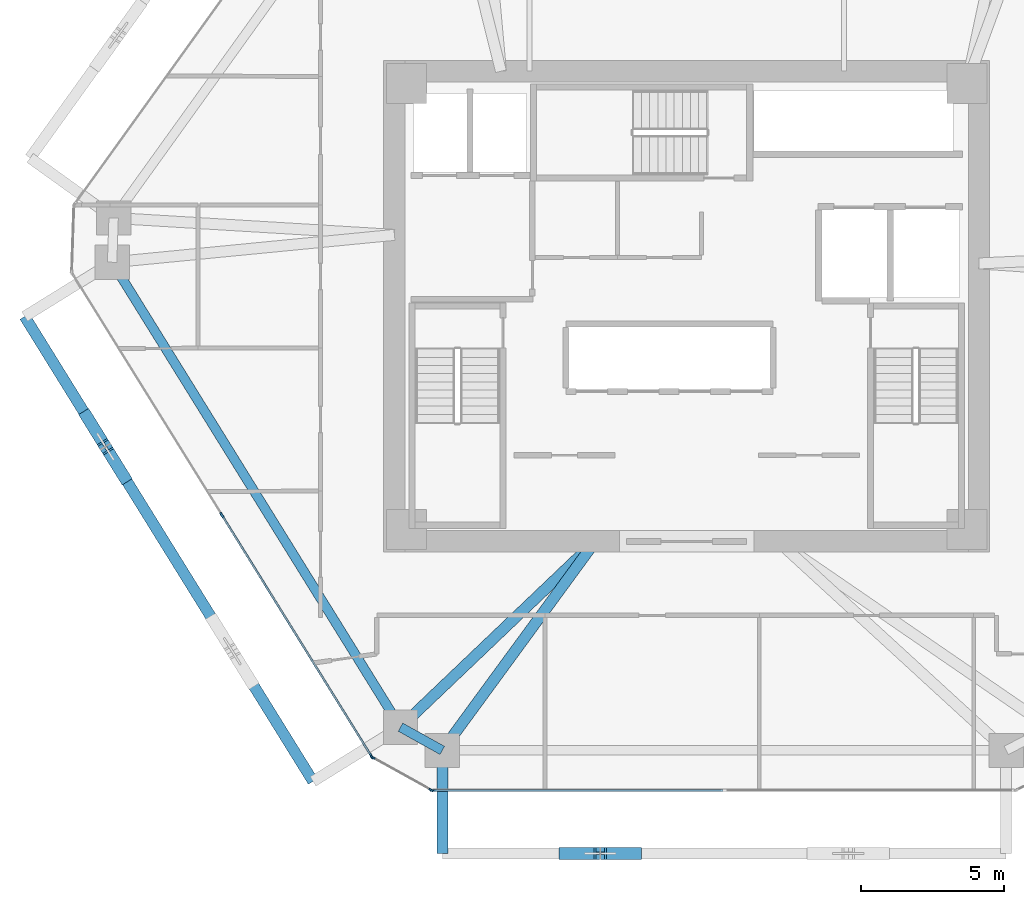
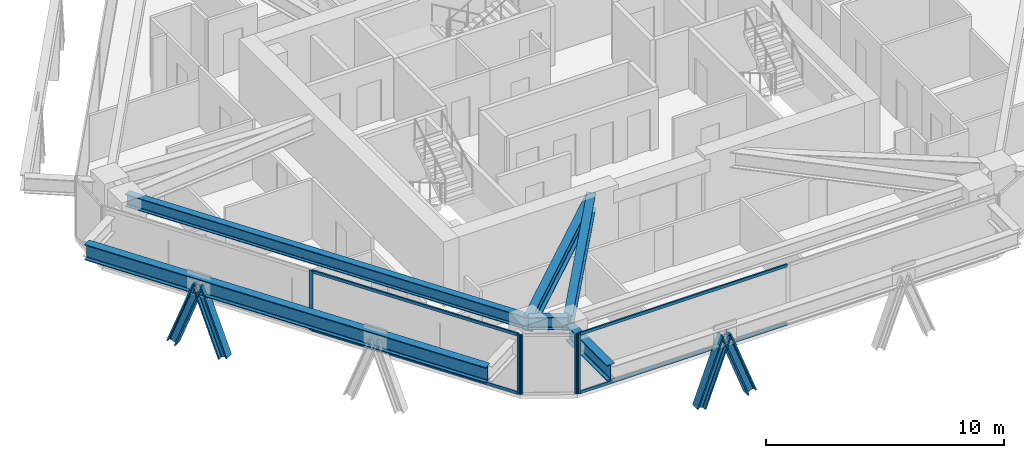
# One storey, part 2 of 16: 13 members, 6 beams, 3 elements without a shape of their own.
"""IFC4 building model written with IfcOpenShell, lengths in metres."""

from ifc_helpers import new_model, si_unit, direction, frame, origin, origin_2d, place, context, subcontext, project, spatial, rectangle, i_section, extrude, source, transform, mapped, material, layer, layer_set, material_profile, profile_set, type_object, type_shapes, element, aggregate, save


model = new_model("IFC4")

# Units and contexts
model_context = context("Model", 3, precision=1e-05, world=origin(), true_north=direction((0.0, 1.0)))
body_context = subcontext(model_context, "Body", "Model", "MODEL_VIEW")
ifc_project = project(units=[si_unit("LENGTHUNIT", "METRE"), si_unit("AREAUNIT", "SQUARE_METRE"), si_unit("VOLUMEUNIT", "CUBIC_METRE"), si_unit("PLANEANGLEUNIT", "RADIAN"), si_unit("MASSUNIT", "GRAM", prefix="KILO")], contexts=[model_context])

# Site, building, storey
site_placement = place(None, origin())
site = spatial("IfcSite", under=ifc_project, at=site_placement, CompositionType="ELEMENT")
building_placement = place(site_placement, origin())
building = spatial("IfcBuilding", under=site, at=building_placement, Name="Durnholm Broadcast Tower", CompositionType="ELEMENT")
storey_placement = place(building_placement, frame((0.0, 0.0, 130.5)))
storey = spatial("IfcBuildingStorey", under=building, at=storey_placement, Name="L35", CompositionType="ELEMENT", Elevation=130.5)

# Beams
ifc_material_1 = material(Name="Steel ASTM A992 Grade 50", Category="steel")
ifc_material_profile_1 = material_profile(ifc_material_1, i_section(OverallWidth=0.385009765625, OverallDepth=0.802978515625, WebThickness=0.023681640625, FlangeThickness=0.0419921875, FilletRadius=0.032958984375, at=origin_2d()), Name="W30X261")
ifc_profile_set_1 = profile_set([ifc_material_profile_1], Name="Steel ASTM A992 Grade 50")
beam_type_1 = type_object("IfcBeamType", Name="BM-EXO-TIE", PredefinedType="USERDEFINED", material=ifc_profile_set_1)
shared_shape_1 = source(origin(), body_context, "Body", "SweptSolid", [
    extrude(i_section(OverallWidth=0.385009765625, OverallDepth=0.802978515625, WebThickness=0.023681640625, FlangeThickness=0.0419921875, FilletRadius=0.032958984375, at=origin_2d()), origin(), (0.0, 0.0, 1.0), 3.4560546875),
])
beam_1_placement = place(storey_placement, frame((-8.552001953125, -15.680908203125, 2.30859375), z_axis=(0.0, -1.0, 0.0), x_axis=(1.0, 0.0, 0.0)))
element("IfcBeam", 1, at=beam_1_placement, inside=storey, type_object=beam_type_1, Name="L35 exoskeleton stand-off tie bracket F1.1", ObjectType="GIRDER", PredefinedType="USERDEFINED", context=body_context, shape_type="MappedRepresentation", body=[
    mapped(shared_shape_1, transform((0.0, 0.0, 0.0), x_axis=(1.0, 0.0, 0.0), y_axis=(0.0, 1.0, 0.0), z_axis=(0.0, 0.0, 1.0), scale=1.0)),
])
ifc_material_profile_2 = material_profile(ifc_material_1, i_section(OverallWidth=0.3291015625, OverallDepth=0.635009765625, WebThickness=0.017822265625, FlangeThickness=0.031005859375, FilletRadius=0.02783203125, at=origin_2d()), Name="W24X162")
ifc_profile_set_2 = profile_set([ifc_material_profile_2], Name="Steel ASTM A992 Grade 50")
beam_type_2 = type_object("IfcBeamType", Name="STL-SP-W24X162", PredefinedType="SPANDREL", material=ifc_profile_set_2)
shared_shape_2 = source(origin(), body_context, "Body", "SweptSolid", [
    extrude(i_section(OverallWidth=0.3291015625, OverallDepth=0.635009765625, WebThickness=0.017822265625, FlangeThickness=0.031005859375, FilletRadius=0.02783203125, at=origin_2d()), origin(), (0.0, 0.0, 1.0), 19.1396484375),
])
beam_2_placement = place(storey_placement, frame((-10.01416015625, -14.723388671875, 2.7275390625), z_axis=(-0.527105324954, 0.849799962582, 0.0), x_axis=(-0.849799962582, -0.527105324954, 0.0)))
element("IfcBeam", 2, at=beam_2_placement, inside=storey, type_object=beam_type_2, Name="L35 perimeter spandrel girder 01", PredefinedType="SPANDREL", context=body_context, shape_type="MappedRepresentation", body=[
    mapped(shared_shape_2, transform((0.0, 0.0, 0.0), x_axis=(1.0, 0.0, 0.0), y_axis=(0.0, 1.0, 0.0), z_axis=(0.0, 0.0, 1.0), scale=1.0)),
])
shared_shape_3 = source(origin(), body_context, "Body", "SweptSolid", [
    extrude(i_section(OverallWidth=0.3291015625, OverallDepth=0.635009765625, WebThickness=0.017822265625, FlangeThickness=0.031005859375, FilletRadius=0.02783203125, at=origin_2d()), origin(), (0.0, 0.0, 1.0), 1.67333984375),
])
type_shapes(beam_type_2, [shared_shape_2, shared_shape_3])
beam_3_placement = place(storey_placement, frame((-8.552001953125, -15.537109375, 2.7275390625), z_axis=(-0.873799169188, 0.486286964586, 0.0), x_axis=(-0.486286964586, -0.873799169188, 0.0)))
element("IfcBeam", 3, at=beam_3_placement, inside=storey, type_object=beam_type_2, Name="L35 perimeter spandrel girder 12", PredefinedType="SPANDREL", context=body_context, shape_type="MappedRepresentation", body=[
    mapped(shared_shape_3, transform((0.0, 0.0, 0.0), x_axis=(1.0, 0.0, 0.0), y_axis=(0.0, 1.0, 0.0), z_axis=(0.0, 0.0, 1.0), scale=1.0)),
])
ifc_material_profile_3 = material_profile(ifc_material_1, i_section(OverallWidth=0.385009765625, OverallDepth=0.802978515625, WebThickness=0.023681640625, FlangeThickness=0.0419921875, FilletRadius=0.032958984375, at=origin_2d()), Name="W30X261")
ifc_profile_set_3 = profile_set([ifc_material_profile_3], Name="Steel ASTM A992 Grade 50")
beam_type_3 = type_object("IfcBeamType", Name="STL-GR-W30X261", PredefinedType="USERDEFINED", material=ifc_profile_set_3)
shared_shape_4 = source(origin(), body_context, "Body", "SweptSolid", [
    extrude(i_section(OverallWidth=0.385009765625, OverallDepth=0.802978515625, WebThickness=0.023681640625, FlangeThickness=0.0419921875, FilletRadius=0.032958984375, at=origin_2d()), origin(), (0.0, 0.0, 1.0), 9.416015625),
])
beam_4_placement = place(storey_placement, frame((-3.199951171875, -8.22509765625, 2.6435546875), z_axis=(-0.723683335801, -0.690132182617, 0.0), x_axis=(0.690132182617, -0.723683335801, 0.0)))
element("IfcBeam", 4, at=beam_4_placement, inside=storey, type_object=beam_type_3, Name="L35 radial primary floor girder 01", ObjectType="GIRDER", PredefinedType="USERDEFINED", context=body_context, shape_type="MappedRepresentation", body=[
    mapped(shared_shape_4, transform((0.0, 0.0, 0.0), x_axis=(1.0, 0.0, 0.0), y_axis=(0.0, 1.0, 0.0), z_axis=(0.0, 0.0, 1.0), scale=1.0)),
])
shared_shape_5 = source(origin(), body_context, "Body", "SweptSolid", [
    extrude(i_section(OverallWidth=0.385009765625, OverallDepth=0.802978515625, WebThickness=0.023681640625, FlangeThickness=0.0419921875, FilletRadius=0.032958984375, at=origin_2d()), origin(), (0.0, 0.0, 1.0), 9.0615234375),
])
type_shapes(beam_type_3, [shared_shape_4, shared_shape_5])
beam_5_placement = place(storey_placement, frame((-3.199951171875, -8.22509765625, 2.6435546875), z_axis=(-0.590639241086, -0.806935739008, 0.0), x_axis=(0.806935739008, -0.590639241086, 0.0)))
element("IfcBeam", 5, at=beam_5_placement, inside=storey, type_object=beam_type_3, Name="L35 radial primary floor girder 12", ObjectType="GIRDER", PredefinedType="USERDEFINED", context=body_context, shape_type="MappedRepresentation", body=[
    mapped(shared_shape_5, transform((0.0, 0.0, 0.0), x_axis=(1.0, 0.0, 0.0), y_axis=(0.0, 1.0, 0.0), z_axis=(0.0, 0.0, 1.0), scale=1.0)),
])
shared_shape_6 = source(origin(), body_context, "Body", "SweptSolid", [
    extrude(i_section(OverallWidth=0.385009765625, OverallDepth=0.802978515625, WebThickness=0.023681640625, FlangeThickness=0.0419921875, FilletRadius=0.032958984375, at=origin_2d()), origin(), (0.0, 0.0, 1.0), 19.139404296875),
])
type_shapes(beam_type_1, [shared_shape_1, shared_shape_6])
beam_6_placement = place(storey_placement, frame((-23.162109375, -0.356201171875, 2.30859375), z_axis=(0.527111038734, -0.84979641847, 0.0), x_axis=(0.84979641847, 0.527111038734, 0.0)))
element("IfcBeam", 6, at=beam_6_placement, inside=storey, type_object=beam_type_1, Name="L35 exoskeleton collector spandrel F6", PredefinedType="SPANDREL", context=body_context, shape_type="MappedRepresentation", body=[
    mapped(shared_shape_6, transform((0.0, 0.0, 0.0), x_axis=(1.0, 0.0, 0.0), y_axis=(0.0, 1.0, 0.0), z_axis=(0.0, 0.0, 1.0), scale=1.0)),
])

# Members
ifc_material_2 = material(Name="Steel ASTM A913 Grade 65", Category="steel")
ifc_material_profile_4 = material_profile(ifc_material_2, i_section(OverallWidth=0.41845703125, OverallDepth=0.455078125, WebThickness=0.0419921875, FlangeThickness=0.067626953125, FilletRadius=0.030517578125, at=origin_2d()), Name="W14X370")
ifc_profile_set_4 = profile_set([ifc_material_profile_4], Name="Steel ASTM A913 Grade 65")
member_type_1 = type_object("IfcMemberType", Name="STL-DG-W14X370", PredefinedType="BRACE", material=ifc_profile_set_4)
shared_shape_7 = source(origin(), body_context, "Body", "SweptSolid", [
    extrude(i_section(OverallWidth=0.41845703125, OverallDepth=0.455078125, WebThickness=0.0419921875, FlangeThickness=0.067626953125, FilletRadius=0.030517578125, at=origin_2d()), origin(), (0.0, 0.0, 1.0), 3.523193359375),
])
type_shapes(member_type_1, [shared_shape_7])
for number, where, z_axis, x_axis, name in (
    (7, (-4.261962890625, -19.136962890625, -0.991455078125), (0.350219588454, 0.0, 0.936667625075), (0.0, 1.0, 0.0), "L35 stand-off diagrid brace F1.D1.1"),
    (8, (-1.794189453125, -19.136962890625, -0.991455078125), (-0.350219588454, 0.0, 0.936667625075), (0.0, -1.0, 0.0), "L35 stand-off diagrid brace F1.D1.2"),
    (9, (-20.987548828125, -3.86181640625, -0.991455078125), (0.184602835855, -0.297623566065, 0.936665364961), (0.849805205368, 0.527096872433, 0.0), "L35 stand-off diagrid brace F6.D1.1"),
    (10, (-19.686767578125, -5.958740234375, -0.991455078125), (-0.184606642766, 0.297560406921, 0.936684681032), (-0.849750220063, -0.527185511469, 0.0), "L35 stand-off diagrid brace F6.D1.2"),
):
    element("IfcMember", number, at=place(storey_placement, frame(where, z_axis=z_axis, x_axis=x_axis)), inside=storey, type_object=member_type_1, Name=name, PredefinedType="BRACE", context=body_context, shape_type="MappedRepresentation", body=[
        mapped(shared_shape_7, transform((0.0, 0.0, 0.0), x_axis=(1.0, 0.0, 0.0), y_axis=(0.0, 1.0, 0.0), z_axis=(0.0, 0.0, 1.0), scale=1.0)),
    ])

# Curtain wall, members
ifc_material_3 = material(Name="Aluminium and Solar Control IGU", Category="aluminium")
ifc_layer_1 = layer(ifc_material_3, 0.1650390625)
ifc_layer_set_1 = layer_set([ifc_layer_1], Name="Aluminium and Solar Control IGU")
curtain_wall_type_1 = type_object("IfcCurtainWallType", Name="CW-SYS-5", PredefinedType="NOTDEFINED", material=ifc_layer_set_1)
curtain_wall_1_placement = place(storey_placement, origin())
curtain_wall_1 = element("IfcCurtainWall", 11, at=curtain_wall_1_placement, inside=storey, type_object=curtain_wall_type_1, Name="L35 curtain wall CW-CORNER CW-L35-CRN-11", PredefinedType="NOTDEFINED")
ifc_material_4 = material(Name="Aluminium 6063-T6", Category="aluminium")
ifc_material_profile_5 = material_profile(ifc_material_4, rectangle(XDim=0.06494140625, YDim=0.1650390625, at=origin_2d()), Name="CWM65X165")
ifc_profile_set_5 = profile_set([ifc_material_profile_5], Name="Aluminium 6063-T6")
member_type_2 = type_object("IfcMemberType", Name="CW-SYS-5-MUL", PredefinedType="MULLION", material=ifc_profile_set_5)
shared_shape_8 = source(origin(), body_context, "Body", "SweptSolid", [
    extrude(rectangle(XDim=0.06494140625, YDim=0.1650390625, at=origin_2d()), origin(), (0.0, 0.0, 1.0), 3.06005859375),
])
type_shapes(member_type_2, [shared_shape_8])
member_1_placement = place(storey_placement, frame((-8.943603515625, -16.921142578125, 0.0), z_axis=(0.0, 0.0, 1.0), x_axis=(-0.486244224192, -0.873822953715, 0.0)))
member_1 = element("IfcMember", 12, at=member_1_placement, type_object=member_type_2, Name="CW-CORNER mullion 1", PredefinedType="MULLION", context=body_context, shape_type="MappedRepresentation", body=[
    mapped(shared_shape_8, transform((0.0, 0.0, 0.0), x_axis=(1.0, 0.0, 0.0), y_axis=(0.0, 1.0, 0.0), z_axis=(0.0, 0.0, 1.0), scale=1.0)),
])
member_2_placement = place(storey_placement, frame((-10.98388671875, -15.785888671875, 0.0), z_axis=(0.0, 0.0, 1.0), x_axis=(-0.486244224192, -0.873822953715, 0.0)))
member_2 = element("IfcMember", 13, at=member_2_placement, type_object=member_type_2, Name="CW-CORNER mullion 2", PredefinedType="MULLION", context=body_context, shape_type="MappedRepresentation", body=[
    mapped(shared_shape_8, transform((0.0, 0.0, 0.0), x_axis=(1.0, 0.0, 0.0), y_axis=(0.0, 1.0, 0.0), z_axis=(0.0, 0.0, 1.0), scale=1.0)),
])
aggregate(curtain_wall_1, [member_1, member_2])

# Curtain wall, member
ifc_layer_2 = layer(ifc_material_3, 0.18994140625)
ifc_layer_set_2 = layer_set([ifc_layer_2], Name="Aluminium and Solar Control IGU")
curtain_wall_type_2 = type_object("IfcCurtainWallType", Name="CW-SYS-3", PredefinedType="NOTDEFINED", material=ifc_layer_set_2)
curtain_wall_2_placement = place(storey_placement, origin())
curtain_wall_2 = element("IfcCurtainWall", 14, at=curtain_wall_2_placement, inside=storey, type_object=curtain_wall_type_2, Name="L35 curtain wall CW-Z12-VIS CW-L35-F10", PredefinedType="NOTDEFINED")
ifc_material_profile_6 = material_profile(ifc_material_4, rectangle(XDim=0.070068359375, YDim=0.18994140625, at=origin_2d()), Name="CWM70X190")
ifc_profile_set_6 = profile_set([ifc_material_profile_6], Name="Aluminium 6063-T6")
member_type_3 = type_object("IfcMemberType", Name="CW-SYS-3-MUL", PredefinedType="MULLION", material=ifc_profile_set_6)
shared_shape_9 = source(origin(), body_context, "Body", "SweptSolid", [
    extrude(rectangle(XDim=0.070068359375, YDim=0.18994140625, at=origin_2d()), origin(), (0.0, 0.0, 1.0), 3.06005859375),
])
type_shapes(member_type_3, [shared_shape_9])
member_3_placement = place(storey_placement, frame((-8.880126953125, -16.93701171875, 0.0), z_axis=(0.0, 0.0, 1.0), x_axis=(0.0, -1.0, 0.0)))
member_3 = element("IfcMember", 15, at=member_3_placement, type_object=member_type_3, Name="CW-Z12-VIS mullion 3", PredefinedType="MULLION", context=body_context, shape_type="MappedRepresentation", body=[
    mapped(shared_shape_9, transform((0.0, 0.0, 0.0), x_axis=(1.0, 0.0, 0.0), y_axis=(0.0, 1.0, 0.0), z_axis=(0.0, 0.0, 1.0), scale=1.0)),
])

# Curtain wall, members
curtain_wall_3_placement = place(storey_placement, origin())
curtain_wall_3 = element("IfcCurtainWall", 16, at=curtain_wall_3_placement, inside=storey, type_object=curtain_wall_type_2, Name="L35 curtain wall CW-Z12-VIS CW-L35-F12", PredefinedType="NOTDEFINED")
member_4_placement = place(storey_placement, frame((-11.03076171875, -15.740234375, 0.0), z_axis=(0.0, 0.0, 1.0), x_axis=(-0.849799925229, -0.527105385176, 0.0)))
member_4 = element("IfcMember", 17, at=member_4_placement, type_object=member_type_3, Name="CW-Z12-VIS mullion 1", PredefinedType="MULLION", context=body_context, shape_type="MappedRepresentation", body=[
    mapped(shared_shape_9, transform((0.0, 0.0, 0.0), x_axis=(1.0, 0.0, 0.0), y_axis=(0.0, 1.0, 0.0), z_axis=(0.0, 0.0, 1.0), scale=1.0)),
])
member_5_placement = place(storey_placement, frame((-16.264404296875, -7.302734375, 0.0), z_axis=(0.0, 0.0, 1.0), x_axis=(-0.849799925229, -0.527105385176, 0.0)))
member_5 = element("IfcMember", 18, at=member_5_placement, type_object=member_type_3, Name="CW-Z12-VIS mullion 2", PredefinedType="MULLION", context=body_context, shape_type="MappedRepresentation", body=[
    mapped(shared_shape_9, transform((0.0, 0.0, 0.0), x_axis=(1.0, 0.0, 0.0), y_axis=(0.0, 1.0, 0.0), z_axis=(0.0, 0.0, 1.0), scale=1.0)),
])

# Member
ifc_material_profile_7 = material_profile(ifc_material_4, rectangle(XDim=0.070068359375, YDim=0.14990234375, at=origin_2d()), Name="CWT70X150")
ifc_profile_set_7 = profile_set([ifc_material_profile_7], Name="Aluminium 6063-T6")
member_type_4 = type_object("IfcMemberType", Name="CW-SYS-3-TRN", PredefinedType="USERDEFINED", material=ifc_profile_set_7)
shared_shape_10 = source(origin(), body_context, "Body", "SweptSolid", [
    extrude(rectangle(XDim=0.070068359375, YDim=0.14990234375, at=origin_2d()), origin(), (0.0, 0.0, 1.0), 10.109619140625),
])
member_6_placement = place(storey_placement, frame((1.264404296875, -16.93701171875, 0.034912109375), z_axis=(-1.0, 0.0, 0.0), x_axis=(0.0, -1.0, 0.0)))
member_6 = element("IfcMember", 19, at=member_6_placement, type_object=member_type_4, Name="CW-Z12-VIS transom 2.1", ObjectType="TRANSOM", PredefinedType="USERDEFINED", context=body_context, shape_type="MappedRepresentation", body=[
    mapped(shared_shape_10, transform((0.0, 0.0, 0.0), x_axis=(1.0, 0.0, 0.0), y_axis=(0.0, 1.0, 0.0), z_axis=(0.0, 0.0, 1.0), scale=1.0)),
])

member_7_placement = place(storey_placement, frame((1.264404296875, -16.93701171875, 3.02490234375), z_axis=(-1.0, 0.0, 0.0), x_axis=(0.0, -1.0, 0.0)))
member_7 = element("IfcMember", 20, at=member_7_placement, type_object=member_type_4, Name="CW-Z12-VIS transom 2.2", ObjectType="TRANSOM", PredefinedType="USERDEFINED", context=body_context, shape_type="MappedRepresentation", body=[
    mapped(shared_shape_10, transform((0.0, 0.0, 0.0), x_axis=(1.0, 0.0, 0.0), y_axis=(0.0, 1.0, 0.0), z_axis=(0.0, 0.0, 1.0), scale=1.0)),
])

aggregate(curtain_wall_2, [member_3, member_6, member_7])

shared_shape_11 = source(origin(), body_context, "Body", "SweptSolid", [
    extrude(rectangle(XDim=0.070068359375, YDim=0.14990234375, at=origin_2d()), origin(), (0.0, 0.0, 1.0), 9.858642578125),
])
type_shapes(member_type_4, [shared_shape_10, shared_shape_11])
member_8_placement = place(storey_placement, frame((-11.04931640625, -15.71044921875, 0.034912109375), z_axis=(-0.527102081419, 0.849801974441, 0.0), x_axis=(-0.849801974441, -0.527102081419, 0.0)))
member_8 = element("IfcMember", 21, at=member_8_placement, type_object=member_type_4, Name="CW-Z12-VIS transom 1.1", ObjectType="TRANSOM", PredefinedType="USERDEFINED", context=body_context, shape_type="MappedRepresentation", body=[
    mapped(shared_shape_11, transform((0.0, 0.0, 0.0), x_axis=(1.0, 0.0, 0.0), y_axis=(0.0, 1.0, 0.0), z_axis=(0.0, 0.0, 1.0), scale=1.0)),
])

member_9_placement = place(storey_placement, frame((-11.04931640625, -15.71044921875, 3.02490234375), z_axis=(-0.527102081419, 0.849801974441, 0.0), x_axis=(-0.849801974441, -0.527102081419, 0.0)))
member_9 = element("IfcMember", 22, at=member_9_placement, type_object=member_type_4, Name="CW-Z12-VIS transom 1.2", ObjectType="TRANSOM", PredefinedType="USERDEFINED", context=body_context, shape_type="MappedRepresentation", body=[
    mapped(shared_shape_11, transform((0.0, 0.0, 0.0), x_axis=(1.0, 0.0, 0.0), y_axis=(0.0, 1.0, 0.0), z_axis=(0.0, 0.0, 1.0), scale=1.0)),
])

aggregate(curtain_wall_3, [member_4, member_5, member_8, member_9])

save(model, "model.ifc")
